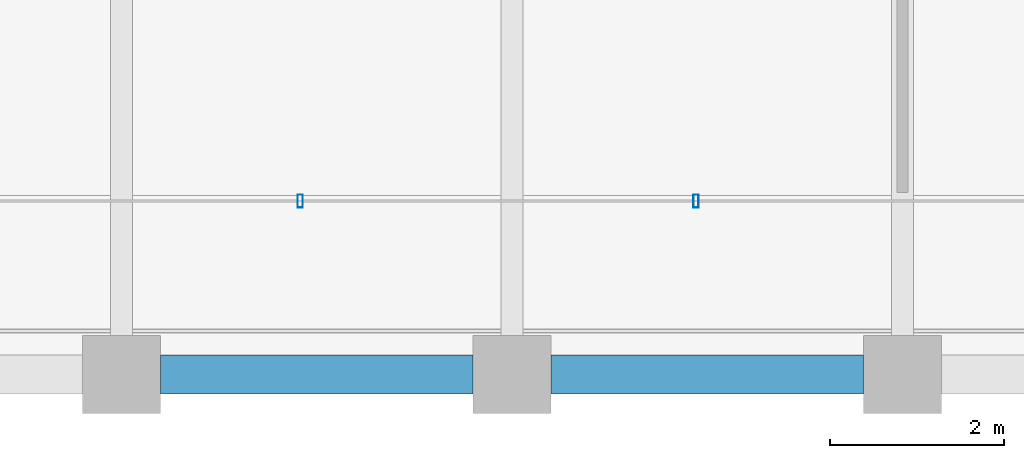
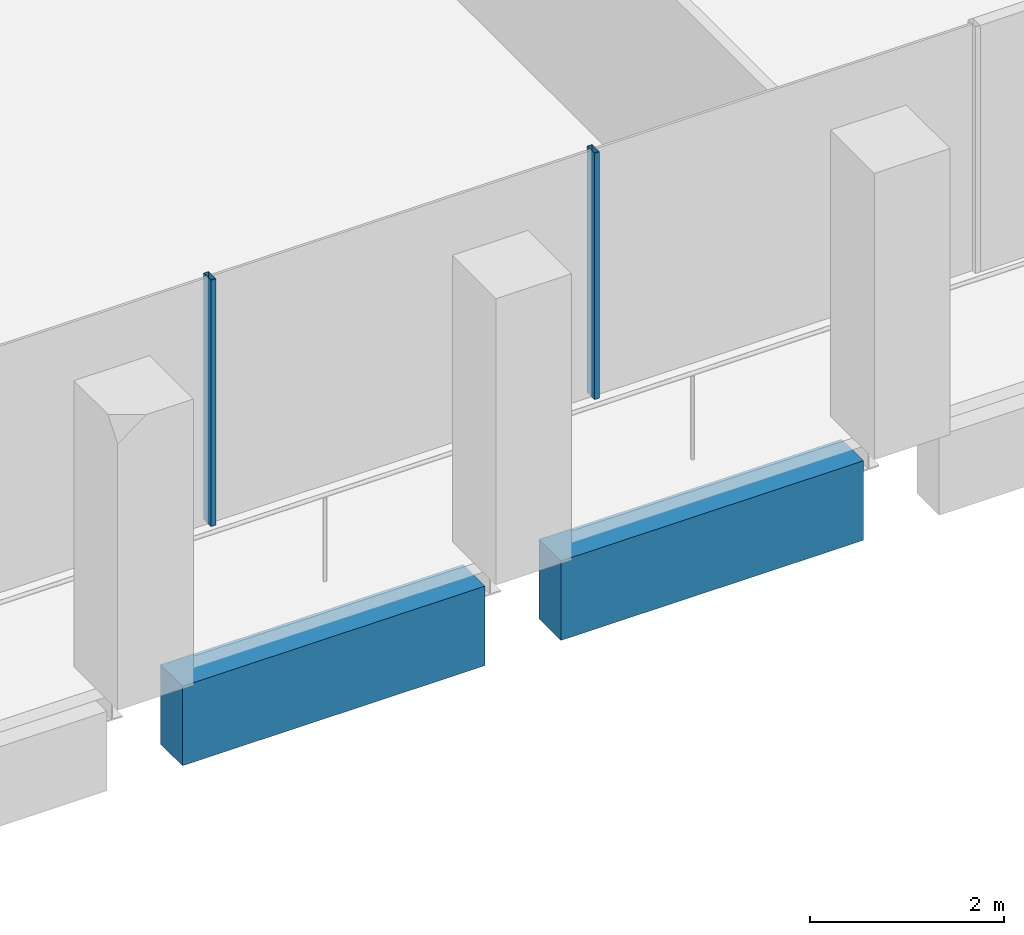
# One storey, part 3 of 40: 2 beams, 2 members, 1 element without a shape of its own.
"""IFC4 building model written with IfcOpenShell, lengths in metres."""

from ifc_helpers import new_model, si_unit, direction, frame, origin, origin_2d, place, context, subcontext, project, spatial, rectangle, hollow_rectangle, extrude, material, material_profile, profile_set, type_object, element, aggregate, save


model = new_model("IFC4")

# Units and contexts
model_context = context("Model", 3, precision=1e-05, world=origin(), true_north=direction((0.0, 1.0)))
body_context = subcontext(model_context, "Body", "Model", "MODEL_VIEW")
ifc_project = project(units=[si_unit("LENGTHUNIT", "METRE"), si_unit("AREAUNIT", "SQUARE_METRE"), si_unit("VOLUMEUNIT", "CUBIC_METRE"), si_unit("PLANEANGLEUNIT", "RADIAN"), si_unit("MASSUNIT", "GRAM", prefix="KILO")], contexts=[model_context])

# Site, building, storey
site_placement = place(None, origin())
site = spatial("IfcSite", under=ifc_project, at=site_placement, CompositionType="ELEMENT")
building_placement = place(site_placement, origin())
building = spatial("IfcBuilding", under=site, at=building_placement, Name="Altepetl Exchange Towers", CompositionType="ELEMENT")
storey_placement = place(building_placement, frame((0.0, 0.0, 154.60009765625)))
storey = spatial("IfcBuildingStorey", under=building, at=storey_placement, Name="L38", CompositionType="ELEMENT", Elevation=154.60009765625)

# Curtain wall, members
ifc_material_1 = material(Name="Aluminium 6063-T6 glazing", Category="aluminium")
curtain_wall_type = type_object("IfcCurtainWallType", Name="Loggia glazing system", PredefinedType="NOTDEFINED", material=ifc_material_1)
curtain_wall_placement = place(storey_placement, origin())
curtain_wall = element("IfcCurtainWall", 1, at=curtain_wall_placement, inside=storey, type_object=curtain_wall_type, Name="CW1 run", PredefinedType="NOTDEFINED")
ifc_material_2 = material(Name="Aluminium 6063-T6", Category="aluminium")
ifc_material_profile_1 = material_profile(ifc_material_2, hollow_rectangle(XDim=0.06005859375, YDim=0.14990234375, WallThickness=0.0029296875, at=origin_2d()), Name="Mullion 60x150 aluminium")
ifc_profile_set_1 = profile_set([ifc_material_profile_1], Name="Aluminium 6063-T6")
member_type = type_object("IfcMemberType", Name="Mullion 60x150 aluminium", PredefinedType="MULLION", material=ifc_profile_set_1)
member_1_placement = place(storey_placement, frame((38.060791015625, 29.0, 0.0)))
member_1 = element("IfcMember", 2, at=member_1_placement, type_object=member_type, Name="MU1 mullion", PredefinedType="MULLION", context=body_context, shape_type="SweptSolid", body=[
    extrude(hollow_rectangle(XDim=0.06005859375, YDim=0.14990234375, WallThickness=0.0029296875, at=origin_2d()), origin(), (0.0, 0.0, 1.0), 3.099853515625),
])
member_2_placement = place(storey_placement, frame((42.621337890625, 29.0, 0.0)))
member_2 = element("IfcMember", 3, at=member_2_placement, type_object=member_type, Name="MU1 mullion", PredefinedType="MULLION", context=body_context, shape_type="SweptSolid", body=[
    extrude(hollow_rectangle(XDim=0.06005859375, YDim=0.14990234375, WallThickness=0.0029296875, at=origin_2d()), origin(), (0.0, 0.0, 1.0), 3.099853515625),
])
aggregate(curtain_wall, [member_1, member_2])

# Beams
ifc_material_3 = material(Name="Concrete C50/60 precast with cantera blanca facing", Category="concrete")
ifc_material_profile_2 = material_profile(ifc_material_3, rectangle(XDim=0.449951171875, YDim=1.0, at=origin_2d()), Name="450 x 1000")
ifc_profile_set_2 = profile_set([ifc_material_profile_2], Name="Concrete C50/60 precast with cantera blanca facing")
beam_type = type_object("IfcBeamType", Name="Spandrel beam 450x1000 cantera blanca", PredefinedType="SPANDREL", material=ifc_profile_set_2)
for number, where, z_axis, x_axis, name in (
    (4, (36.449951171875, 27.0, -0.650146484375), (1.0, 0.0, 0.0), (0.0, 1.0, 0.0), "sp:A:L38:001"),
    (5, (40.949951171875, 27.0, -0.650146484375), (1.0, 0.0, 0.0), (0.0, 1.0, 0.0), "sp:A:L38:002"),
):
    element("IfcBeam", number, at=place(storey_placement, frame(where, z_axis=z_axis, x_axis=x_axis)), inside=storey, type_object=beam_type, Name=name, PredefinedType="SPANDREL", context=body_context, shape_type="SweptSolid", body=[
        extrude(rectangle(XDim=0.449951171875, YDim=1.0, at=origin_2d()), origin(), (0.0, 0.0, 1.0), 3.60009765625),
    ])

save(model, "model.ifc")
